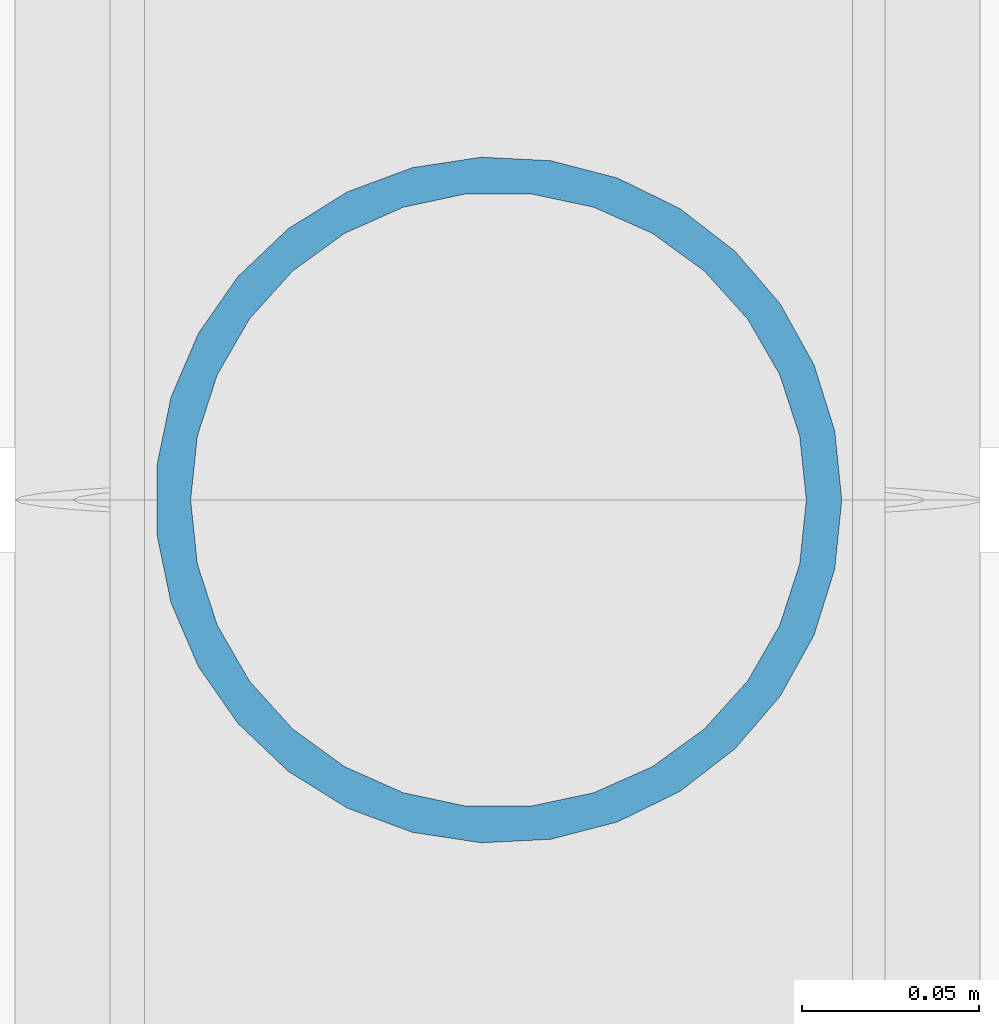
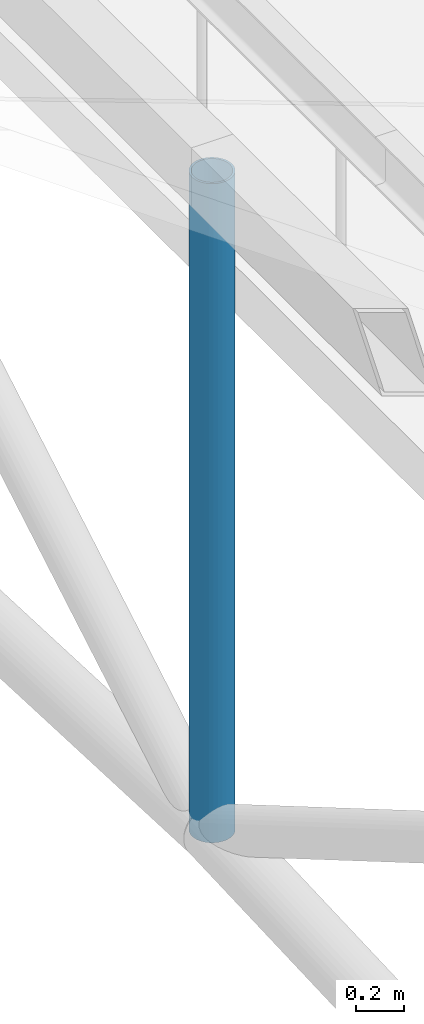
# One storey, part 44 of 168: 1 member.
"""IFC4 building model written with IfcOpenShell, lengths in metres."""

from ifc_helpers import new_model, si_unit, direction, frame, origin, origin_2d, place, context, subcontext, project, spatial, hollow_circle, extrude, material, material_profile, profile_set, type_object, element, save


model = new_model("IFC4")

# Units and contexts
model_context = context("Model", 3, precision=1e-05, world=origin(), true_north=direction((0.0, 1.0)))
body_context = subcontext(model_context, "Body", "Model", "MODEL_VIEW")
ifc_project = project(units=[si_unit("LENGTHUNIT", "METRE"), si_unit("AREAUNIT", "SQUARE_METRE"), si_unit("VOLUMEUNIT", "CUBIC_METRE"), si_unit("PLANEANGLEUNIT", "RADIAN"), si_unit("MASSUNIT", "GRAM", prefix="KILO"), si_unit("THERMODYNAMICTEMPERATUREUNIT", "KELVIN"), si_unit("POWERUNIT", "WATT")], contexts=[model_context])

# Site, building, storey
site_placement = place(None, origin())
site = spatial("IfcSite", under=ifc_project, at=site_placement, CompositionType="ELEMENT")
building_placement = place(site_placement, origin())
building = spatial("IfcBuilding", under=site, at=building_placement, Name="Tepalcoro Natatorium and Aquatics Centre", CompositionType="ELEMENT")
storey_placement = place(building_placement, frame((0.0, 0.0, 10.199951171875)))
storey = spatial("IfcBuildingStorey", under=building, at=storey_placement, Name="L02", CompositionType="ELEMENT", Elevation=10.199951171875)

# Member
ifc_material = material(Name="Terracotta Painted Hollow Steel ASTM A500 Grade C (Fy 345 MPa)", Category="masonry")
ifc_material_profile = material_profile(ifc_material, hollow_circle(Radius=0.096923828125, WallThickness=0.010009765625, at=origin_2d()), Name="CHS194X10")
ifc_profile_set = profile_set([ifc_material_profile], Name="Terracotta Painted Hollow Steel ASTM A500 Grade C (Fy 345 MPa)")
member_type = type_object("IfcMemberType", Name="MB_PS_CHS194x10", PredefinedType="POST", material=ifc_profile_set)
member_placement = place(storey_placement, frame((107.0, 36.0, 7.650146484375), z_axis=(0.0, 0.0, 1.0), x_axis=(1.0, 0.0, 0.0)))
element("IfcMember", 1, at=member_placement, inside=storey, type_object=member_type, Name="V1 Arched Truss Vertical Post 7", PredefinedType="POST", context=body_context, shape_type="SweptSolid", body=[
    extrude(hollow_circle(Radius=0.096923828125, WallThickness=0.010009765625, at=origin_2d()), origin(), (0.0, 0.0, 1.0), 3.36181640625),
])

save(model, "model.ifc")
